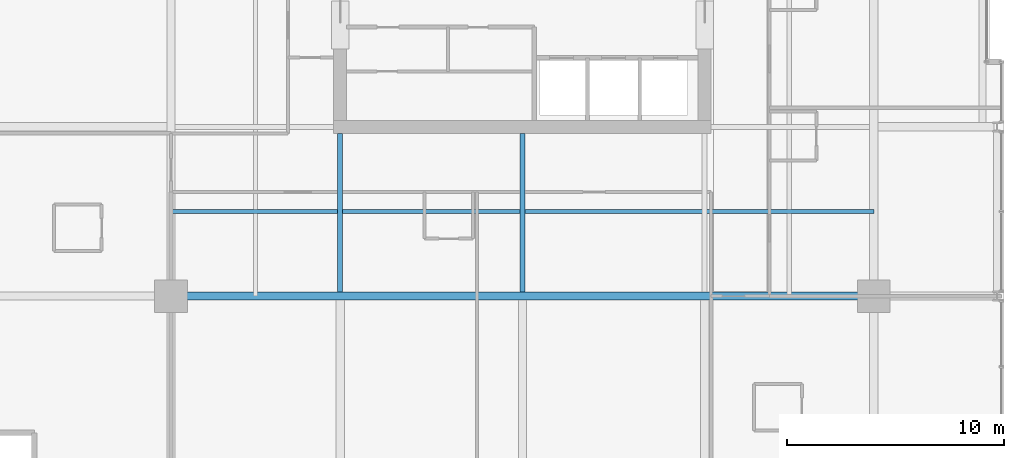
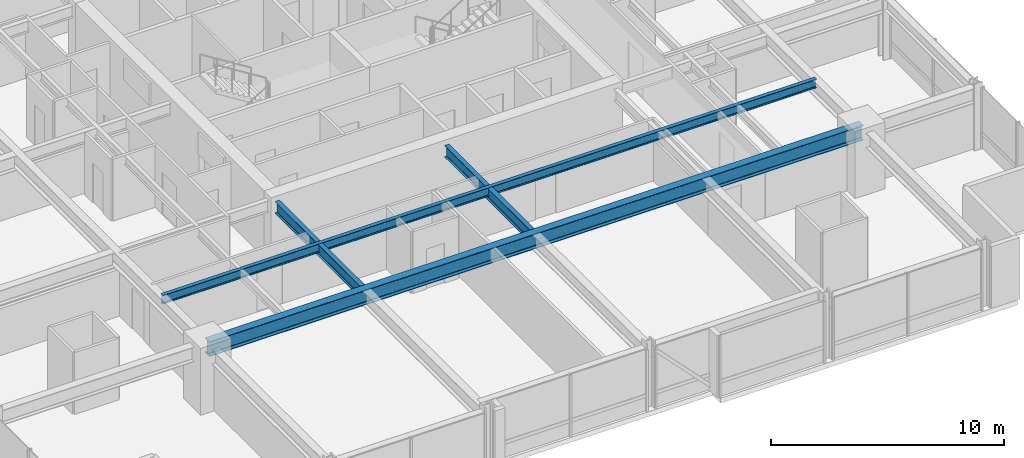
# One storey, part 6 of 34: 4 beams.
"""IFC4 building model written with IfcOpenShell, lengths in metres."""

import ifcopenshell
import ifcopenshell.guid

model = None  # the IFC model being written
_history = None  # IfcOwnerHistory: only IFC2X3 demands one
_inside = {}  # id of a spatial element -> (the spatial element, [elements in it])
_under = {}  # id of a project, library or spatial element -> (it, [spatial elements below it])
_declared = {}  # id of a project -> (the project, [libraries it declares])
_typed = {}  # id of a type object -> (the type object, [elements of that type])
_made_of = {}  # id of a material, layer set ... -> (it, [elements and type objects made of it])


def new_model(schema):
    """Start an empty IFC model of exactly this schema.

    Asked for "IFC4X3", IfcOpenShell would pick the latest addendum, in which some entities
    have other attributes; the version numbers below select the first issue.
    IFC2X3 requires an IfcOwnerHistory on every rooted entity: one is made here for all.
    """
    global model, _history
    if schema == "IFC4X3":
        model = ifcopenshell.file(schema_version=(4, 3, 0, 0))
    else:
        model = ifcopenshell.file(schema=schema)
    _inside.clear()
    _under.clear()
    _declared.clear()
    _typed.clear()
    _made_of.clear()
    _history = None
    if model.schema == "IFC2X3":
        org = make("IfcOrganization", Name="unknown")
        user = make(
            "IfcPersonAndOrganization",
            ThePerson=make("IfcPerson", FamilyName="unknown"),
            TheOrganization=org,
        )
        app = make(
            "IfcApplication",
            ApplicationDeveloper=org,
            Version="unknown",
            ApplicationFullName="unknown",
            ApplicationIdentifier="unknown",
        )
        _history = make(
            "IfcOwnerHistory",
            OwningUser=user,
            OwningApplication=app,
            ChangeAction="ADDED",
            CreationDate=0,
        )
    return model


def make(cls, **values):
    """One entity of the class cls with the attributes given. An attribute that is None is left unset."""
    return model.create_entity(
        cls, **{name: value for name, value in values.items() if value is not None}
    )


def rooted(cls, **values):
    """An entity with a GlobalId (a new one), such as an element, a storey or a relation."""
    return make(cls, GlobalId=ifcopenshell.guid.new(), OwnerHistory=_history, **values)


def si_unit(unit_type, name, prefix=None):
    """IfcSIUnit, for example si_unit("LENGTHUNIT", "METRE", prefix="MILLI")."""
    return make("IfcSIUnit", UnitType=unit_type, Prefix=prefix, Name=name)


def assignment(units):
    """IfcUnitAssignment: the units of a project."""
    return None if units is None else make("IfcUnitAssignment", Units=units)


def point(xyz):
    """IfcCartesianPoint."""
    return None if xyz is None else make("IfcCartesianPoint", Coordinates=xyz)


def direction(xyz):
    """IfcDirection."""
    return None if xyz is None else make("IfcDirection", DirectionRatios=xyz)


def frame(location, z_axis=None, x_axis=None):
    """IfcAxis2Placement3D, a coordinate frame: its origin and axes. An axis left out is left unset."""
    return make(
        "IfcAxis2Placement3D",
        Location=point(location),
        Axis=direction(z_axis),
        RefDirection=direction(x_axis),
    )


def frame_2d(location, x_axis=None):
    """IfcAxis2Placement2D, a coordinate frame in the plane: its origin and x axis."""
    return make(
        "IfcAxis2Placement2D", Location=point(location), RefDirection=direction(x_axis)
    )


def origin():
    """The frame at (0, 0, 0) with its axes left unset."""
    return frame((0.0, 0.0, 0.0))


def origin_2d():
    """The frame at (0, 0) in the plane with its x axis left unset."""
    return frame_2d((0.0, 0.0))


def place(relative_to, where):
    """IfcLocalPlacement: puts the frame where relative to a parent placement (None: the world)."""
    return make(
        "IfcLocalPlacement", PlacementRelTo=relative_to, RelativePlacement=where
    )


def context(
    kind, dimensions, precision=None, world=None, true_north=None, identifier=None
):
    """IfcGeometricRepresentationContext, for example the 3D "Model" context."""
    return make(
        "IfcGeometricRepresentationContext",
        ContextIdentifier=identifier,
        ContextType=kind,
        CoordinateSpaceDimension=dimensions,
        Precision=precision,
        WorldCoordinateSystem=world,
        TrueNorth=true_north,
    )


def subcontext(parent, identifier, kind, view, scale=None):
    """IfcGeometricRepresentationSubContext, for example "Body" below "Model"."""
    return make(
        "IfcGeometricRepresentationSubContext",
        ContextIdentifier=identifier,
        ContextType=kind,
        ParentContext=parent,
        TargetScale=scale,
        TargetView=view,
    )


def project(units=None, contexts=None):
    """IfcProject with its units and contexts."""
    return rooted(
        "IfcProject",
        Name="project",
        RepresentationContexts=contexts,
        UnitsInContext=assignment(units),
    )


def spatial(cls, under=None, at=None, **own):
    """A site, building, storey or space (cls), placed at a placement, below another one or the project."""
    s = rooted(cls, ObjectPlacement=at, **own)
    if under is not None:
        _under.setdefault(under.id(), (under, []))[1].append(s)
    return s


def profile(cls, at=None, kind="AREA", **sizes):
    """A parametric profile (cls). Its sizes go by their IFC names, for example OverallWidth=200.0."""
    return make(cls, ProfileType=kind, Position=at, **sizes)


def i_section(**sizes):
    """IfcIShapeProfileDef."""
    return profile("IfcIShapeProfileDef", **sizes)


def extrude(swept, where, along, depth):
    """IfcExtrudedAreaSolid: the profile swept, set in the frame where, extruded along a direction by depth."""
    return make(
        "IfcExtrudedAreaSolid",
        SweptArea=swept,
        Position=where,
        ExtrudedDirection=direction(along),
        Depth=depth,
    )


def shape(context_of_items, identifier, shape_type, items):
    """IfcShapeRepresentation: the items that make up one representation, for example the "Body"."""
    return make(
        "IfcShapeRepresentation",
        ContextOfItems=context_of_items,
        RepresentationIdentifier=identifier,
        RepresentationType=shape_type,
        Items=items,
    )


def material(Name=None, Category=None):
    """IfcMaterial."""
    return make("IfcMaterial", Name=Name, Category=Category)


def material_profile(
    of_material, cross_section, Name=None, Category=None, Priority=None
):
    """IfcMaterialProfile: a cross section and its material."""
    return make(
        "IfcMaterialProfile",
        Name=Name,
        Material=of_material,
        Profile=cross_section,
        Priority=Priority,
        Category=Category,
    )


def profile_set(profiles, Name=None, composite=None):
    """IfcMaterialProfileSet."""
    return make(
        "IfcMaterialProfileSet",
        Name=Name,
        MaterialProfiles=profiles,
        CompositeProfile=composite,
    )


def made_of(thing, what):
    """Note that an element or type object is made of a material, layer set ...; save() writes the relation."""
    if what is not None:
        _made_of.setdefault(what.id(), (what, []))[1].append(thing)
    return thing


def type_object(cls, material=None, **own):
    """A type object (cls), such as IfcWallType, which elements share."""
    return made_of(rooted(cls, **own), material)


def element(
    cls,
    number,
    at=None,
    inside=None,
    cuts=None,
    type_object=None,
    material=None,
    context=None,
    identifier="Body",
    shape_type=None,
    held_by="IfcProductDefinitionShape",
    body=None,
    shapes=None,
    **own,
):
    """One element of the class cls, such as IfcWall. Its Tag is "e" and its number.

    at: its placement. inside: the storey or other place that contains it. cuts: it is an
    opening in that element (IfcRelVoidsElement). A single representation is given by context,
    identifier, shape_type and body (its items); several are given by shapes. held_by: the class
    of the entity that holds the representations. save() writes the other relations.
    """
    e = rooted(cls, Tag="e%d" % number, ObjectPlacement=at, **own)
    if body is not None:
        shapes = [shape(context, identifier, shape_type, body)]
    if shapes is not None:
        e.Representation = make(held_by, Representations=shapes)
    if inside is not None:
        _inside.setdefault(inside.id(), (inside, []))[1].append(e)
    if cuts is not None:
        rooted(
            "IfcRelVoidsElement", RelatingBuildingElement=cuts, RelatedOpeningElement=e
        )
    if type_object is not None:
        _typed.setdefault(type_object.id(), (type_object, []))[1].append(e)
    return made_of(e, material)


def aggregate(whole, parts):
    """IfcRelAggregates: a whole, such as a stair, and the parts it consists of."""
    return rooted("IfcRelAggregates", RelatingObject=whole, RelatedObjects=parts)


def save(model, path):
    """Write the relations noted so far, then the file.

    IfcRelAggregates (storeys below a building ...), IfcRelContainedInSpatialStructure (elements
    in a storey), IfcRelDefinesByType, IfcRelAssociatesMaterial and IfcRelDeclares: one each for
    every whole, place, type object, material and project.
    """
    for whole, parts in _under.values():
        aggregate(whole, parts)
    for where, things in _inside.values():
        rooted(
            "IfcRelContainedInSpatialStructure",
            RelatedElements=things,
            RelatingStructure=where,
        )
    for kind, things in _typed.values():
        rooted("IfcRelDefinesByType", RelatedObjects=things, RelatingType=kind)
    for what, things in _made_of.values():
        rooted("IfcRelAssociatesMaterial", RelatedObjects=things, RelatingMaterial=what)
    for by, libraries in _declared.values():
        rooted("IfcRelDeclares", RelatingContext=by, RelatedDefinitions=libraries)
    model.write(path)


model = new_model("IFC4")

# Units and contexts
model_context = context("Model", 3, precision=1e-05, world=origin(), true_north=direction((0.0, 1.0)))
body_context = subcontext(model_context, "Body", "Model", "MODEL_VIEW")
ifc_project = project(units=[si_unit("LENGTHUNIT", "METRE"), si_unit("AREAUNIT", "SQUARE_METRE"), si_unit("VOLUMEUNIT", "CUBIC_METRE"), si_unit("PLANEANGLEUNIT", "RADIAN"), si_unit("MASSUNIT", "GRAM", prefix="KILO")], contexts=[model_context])

# Site, building, storey
site_placement = place(None, origin())
site = spatial("IfcSite", under=ifc_project, at=site_placement, CompositionType="ELEMENT")
building_placement = place(site_placement, origin())
building = spatial("IfcBuilding", under=site, at=building_placement, Name="Drelvath Grand Hotel", CompositionType="ELEMENT")
storey_placement = place(building_placement, frame((0.0, 0.0, 102.300048828125)))
storey = spatial("IfcBuildingStorey", under=building, at=storey_placement, Name="L25", CompositionType="ELEMENT", Elevation=102.300048828125)

# Beams
ifc_material = material(Name="Steel ASTM A992 Gr 50", Category="steel")
ifc_material_profile_1 = material_profile(ifc_material, i_section(OverallWidth=0.19140625, OverallDepth=0.4599609375, WebThickness=0.010009765625, FlangeThickness=0.01611328125, FilletRadius=0.01611328125, at=origin_2d()), Name="W18X55")
ifc_profile_set_1 = profile_set([ifc_material_profile_1], Name="Steel ASTM A992 Gr 50")
beam_type_1 = type_object("IfcBeamType", Name="Composite Floor Joist W18X55", PredefinedType="JOIST", material=ifc_profile_set_1)
beam_1_placement = place(storey_placement, frame((-16.199951171875, 14.699951171875, 3.010009765625), z_axis=(1.0, 0.0, 0.0), x_axis=(0.0, 1.0, 0.0)))
element("IfcBeam", 1, at=beam_1_placement, inside=storey, type_object=beam_type_1, Name="L25 Floor Joist J1", PredefinedType="JOIST", context=body_context, shape_type="SweptSolid", body=[
    extrude(i_section(OverallWidth=0.19140625, OverallDepth=0.4599609375, WebThickness=0.010009765625, FlangeThickness=0.01611328125, FilletRadius=0.01611328125, at=origin_2d()), origin(), (0.0, 0.0, 1.0), 32.39990234375),
])
ifc_material_profile_2 = material_profile(ifc_material, i_section(OverallWidth=0.228271484375, OverallDepth=0.607666015625, WebThickness=0.01123046875, FlangeThickness=0.017333984375, FilletRadius=0.02001953125, at=origin_2d()), Name="W24X76")
ifc_profile_set_2 = profile_set([ifc_material_profile_2], Name="Steel ASTM A992 Gr 50")
beam_type_2 = type_object("IfcBeamType", Name="Primary Floor Girder W24X76", PredefinedType="BEAM", material=ifc_profile_set_2)
for number, where, z_axis, x_axis, name in (
    (2, (-8.39990234375, 10.990234375, 2.93603515625), (0.0, 1.0, 0.0), (-1.0, 0.0, 0.0), "L25 South Core Tie 4"),
    (3, (0.0, 10.990234375, 2.93603515625), (0.0, 1.0, 0.0), (-1.0, 0.0, 0.0), "L25 South Core Tie 5"),
):
    element("IfcBeam", number, at=place(storey_placement, frame(where, z_axis=z_axis, x_axis=x_axis)), inside=storey, type_object=beam_type_2, Name=name, PredefinedType="BEAM", context=body_context, shape_type="SweptSolid", body=[
        extrude(i_section(OverallWidth=0.228271484375, OverallDepth=0.607666015625, WebThickness=0.01123046875, FlangeThickness=0.017333984375, FilletRadius=0.02001953125, at=origin_2d()), origin(), (0.0, 0.0, 1.0), 7.309814453125),
    ])
ifc_material_profile_3 = material_profile(ifc_material, i_section(OverallWidth=0.380615234375, OverallDepth=0.773193359375, WebThickness=0.0166015625, FlangeThickness=0.027099609375, FilletRadius=0.02490234375, at=origin_2d()), Name="W30X173")
ifc_profile_set_3 = profile_set([ifc_material_profile_3], Name="Steel ASTM A992 Gr 50")
beam_type_3 = type_object("IfcBeamType", Name="Primary Floor Girder W30X173", PredefinedType="BEAM", material=ifc_profile_set_3)
beam_2_placement = place(storey_placement, frame((-16.199951171875, 10.800048828125, 2.853271484375), z_axis=(1.0, 0.0, 0.0), x_axis=(0.0, 1.0, 0.0)))
element("IfcBeam", 4, at=beam_2_placement, inside=storey, type_object=beam_type_3, Name="L25 Mega Ring Girder South", PredefinedType="BEAM", context=body_context, shape_type="SweptSolid", body=[
    extrude(i_section(OverallWidth=0.380615234375, OverallDepth=0.773193359375, WebThickness=0.0166015625, FlangeThickness=0.027099609375, FilletRadius=0.02490234375, at=origin_2d()), origin(), (0.0, 0.0, 1.0), 32.39990234375),
])

save(model, "model.ifc")
